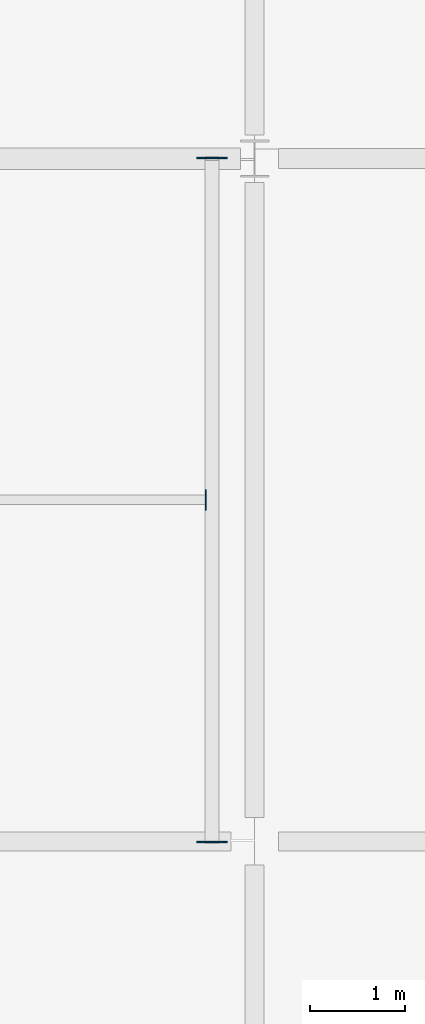
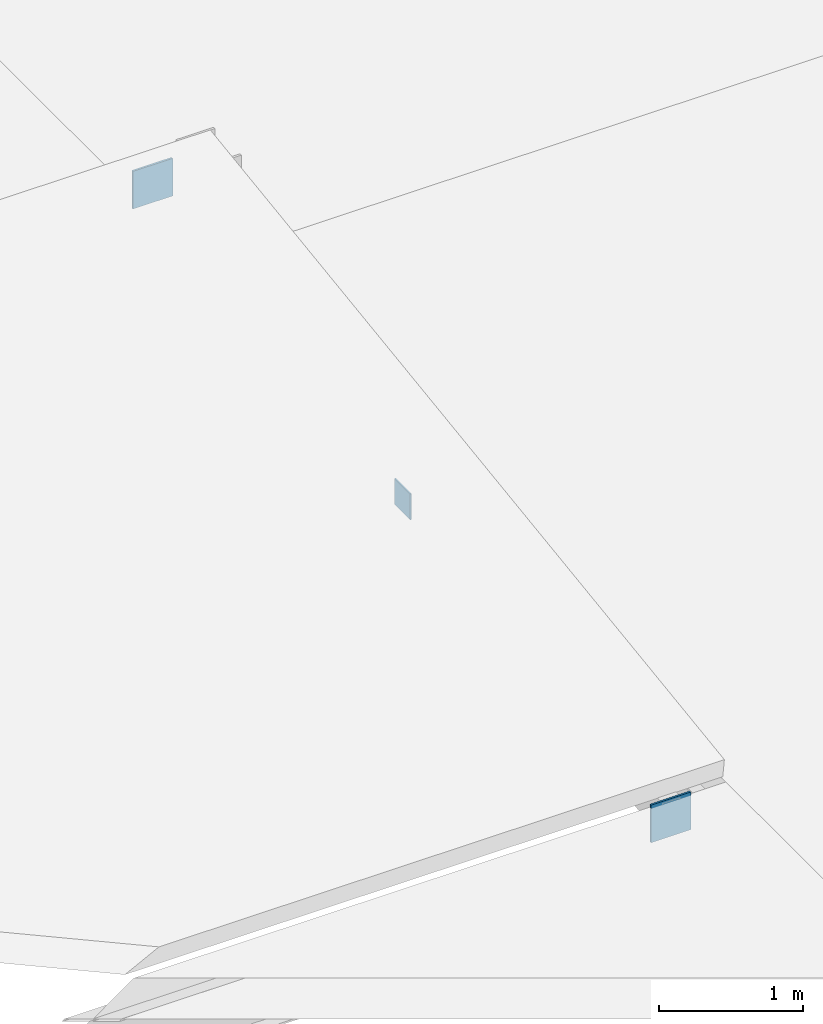
# One storey, part 20 of 32: 3 plates.
"""IFC4 building model written with IfcOpenShell, lengths in metres."""

from ifc_helpers import new_model, si_unit, direction, frame, origin, origin_2d, place, context, subcontext, project, spatial, rectangle, extrude, material, layer, layer_set, type_object, element, save


model = new_model("IFC4")

# Units and contexts
model_context = context("Model", 3, precision=1e-05, world=origin(), true_north=direction((0.0, 1.0)))
body_context = subcontext(model_context, "Body", "Model", "MODEL_VIEW")
ifc_project = project(units=[si_unit("LENGTHUNIT", "METRE"), si_unit("AREAUNIT", "SQUARE_METRE"), si_unit("VOLUMEUNIT", "CUBIC_METRE"), si_unit("PLANEANGLEUNIT", "RADIAN"), si_unit("MASSUNIT", "GRAM", prefix="KILO")], contexts=[model_context])

# Site, building, storey
site_placement = place(None, origin())
site = spatial("IfcSite", under=ifc_project, at=site_placement, CompositionType="ELEMENT")
building_placement = place(site_placement, origin())
building = spatial("IfcBuilding", under=site, at=building_placement, Name="Sardonyx Promenade Sports Hall", CompositionType="ELEMENT")
storey_placement = place(building_placement, frame((0.0, 0.0, 20.39990234375)))
storey = spatial("IfcBuildingStorey", under=building, at=storey_placement, Name="L04", CompositionType="ELEMENT", Elevation=20.39990234375)

# Plates
ifc_material_1 = material(Name="Steel S355JR", Category="steel")
ifc_layer_1 = layer(ifc_material_1, 0.01611328125)
ifc_layer_set_1 = layer_set([ifc_layer_1], Name="Plt_EndCap_EC2")
plate_type_1 = type_object("IfcPlateType", Name="Plt_EndCap_EC2", PredefinedType="USERDEFINED", material=ifc_layer_set_1)
for number, where, z_axis, x_axis, name in (
    (1, (21.14990234375, 35.991943359375, -0.29150390625), (0.0, 0.0, 1.0), (1.0, 0.0, 0.0), "Rafter end-cap plate #19"),
    (2, (21.14990234375, 43.2080078125, 0.72021484375), (0.0, 0.0, 1.0), (1.0, 0.0, 0.0), "Rafter end-cap plate #20"),
):
    element("IfcPlate", number, at=place(storey_placement, frame(where, z_axis=z_axis, x_axis=x_axis)), inside=storey, type_object=plate_type_1, Name=name, ObjectType="END CAP PLATE", PredefinedType="USERDEFINED", context=body_context, shape_type="SweptSolid", body=[
        extrude(rectangle(XDim=0.320068359375, YDim=0.01611328125, at=origin_2d()), origin(), (0.0, 0.0, 1.0), 0.320068359375),
    ])
ifc_material_2 = material(Name="Steel S355JR", Category="steel")
ifc_layer_2 = layer(ifc_material_2, 0.011962890625)
ifc_layer_set_2 = layer_set([ifc_layer_2], Name="Plt_EndCap_EC3")
plate_type_2 = type_object("IfcPlateType", Name="Plt_EndCap_EC3", PredefinedType="USERDEFINED", material=ifc_layer_set_2)
plate_placement = place(storey_placement, frame((21.0830078125, 39.60009765625, 0.2958984375), z_axis=(0.0, 0.0, 1.0), x_axis=(1.0, 0.0, 0.0)))
element("IfcPlate", 3, at=plate_placement, inside=storey, type_object=plate_type_2, Name="Purlin end-cap plate #55E", ObjectType="END CAP PLATE", PredefinedType="USERDEFINED", context=body_context, shape_type="SweptSolid", body=[
    extrude(rectangle(XDim=0.011962890625, YDim=0.219970703125, at=origin_2d()), origin(), (0.0, 0.0, 1.0), 0.219970703125),
])

save(model, "model.ifc")
